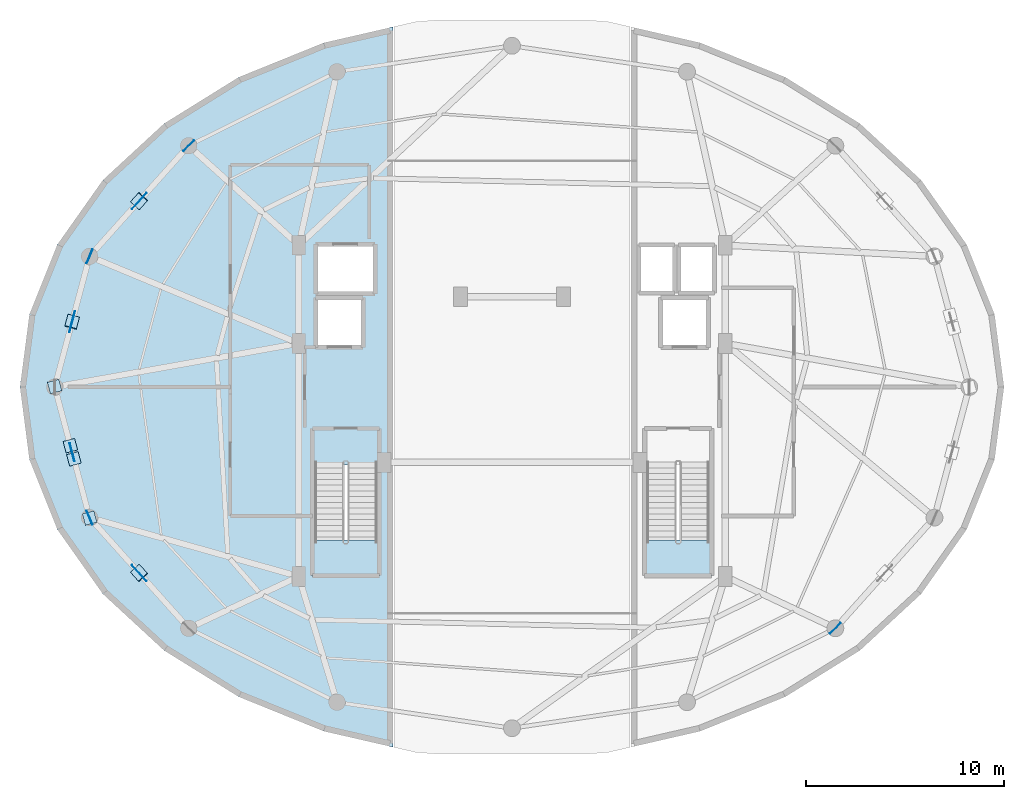
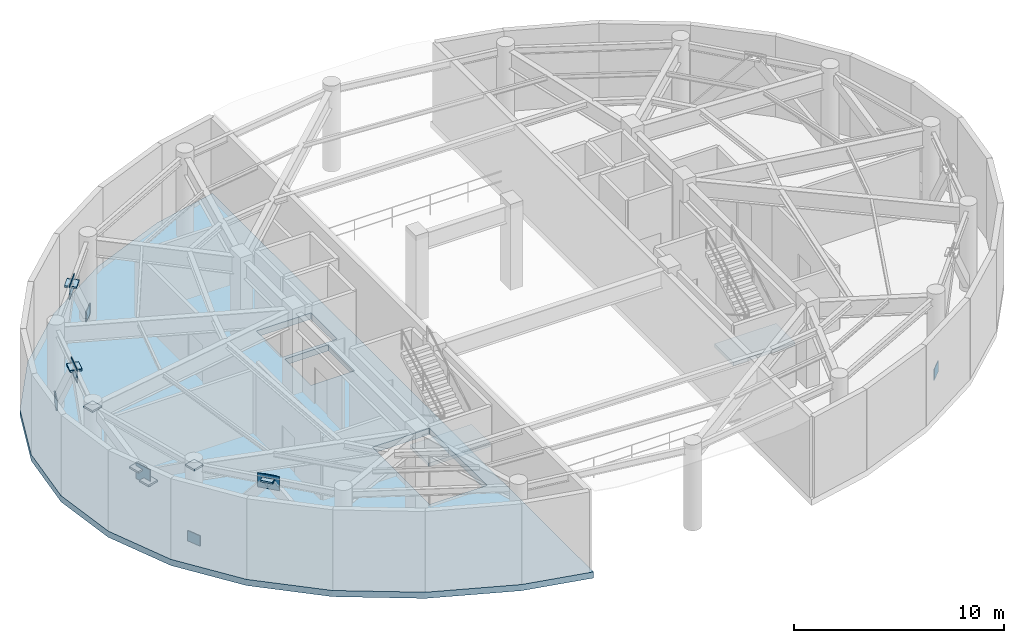
# One storey, part 3 of 7: 18 plates, 3 slabs, 2 elements without a shape of their own.
"""IFC4 building model written with IfcOpenShell, lengths in metres."""

from ifc_helpers import new_model, si_unit, direction, frame, origin, origin_2d, place, context, subcontext, project, spatial, polyline, rectangle, outline, extrude, material, layer, layer_set, type_object, element, aggregate, save


model = new_model("IFC4")

# Units and contexts
model_context = context("Model", 3, precision=1e-05, world=origin(), true_north=direction((0.0, 1.0)))
body_context = subcontext(model_context, "Body", "Model", "MODEL_VIEW")
ifc_project = project(units=[si_unit("LENGTHUNIT", "METRE"), si_unit("AREAUNIT", "SQUARE_METRE"), si_unit("VOLUMEUNIT", "CUBIC_METRE"), si_unit("PLANEANGLEUNIT", "RADIAN"), si_unit("MASSUNIT", "GRAM", prefix="KILO")], contexts=[model_context])

# Site, building, storey
site_placement = place(None, origin())
site = spatial("IfcSite", under=ifc_project, at=site_placement, CompositionType="ELEMENT")
building_placement = place(site_placement, origin())
building = spatial("IfcBuilding", under=site, at=building_placement, Name="Vorneva Point Tower", CompositionType="ELEMENT")
storey_placement = place(building_placement, frame((0.0, 0.0, 280.39990234375)))
storey = spatial("IfcBuildingStorey", under=building, at=storey_placement, Name="L76", CompositionType="ELEMENT", Elevation=280.39990234375)

# Plates
ifc_material_1 = material(Name="Steel S355", Category="steel")
ifc_layer_1 = layer(ifc_material_1, 0.02392578125)
ifc_layer_set_1 = layer_set([ifc_layer_1], Name="Steel S355")
plate_type_1 = type_object("IfcPlateType", Name="PLT-CAP-EXT", PredefinedType="USERDEFINED", material=ifc_layer_set_1)
for number, where, z_axis, x_axis, name in (
    (1, (19.18994140625, 35.35791015625, 4.51513671875), (0.0, 0.0, 1.0), (-0.667091755948, -0.744975562784, 0.0), "L76 Perimeter Belt-Truss Diagonal 07A end closure plate 2"),
    (2, (19.2158203125, 35.38671875, 4.51513671875), (0.0, 0.0, 1.0), (0.667091755948, 0.744975562784, 0.0), "L76 Perimeter Belt-Truss Diagonal 07B end closure plate 2"),
    (3, (15.822509765625, 29.2734375, 4.51611328125), (0.0, 0.0, 1.0), (-0.257571294219, -0.966259296666, 0.0), "L76 Perimeter Belt-Truss Diagonal 08A end closure plate 2"),
    (4, (15.83203125, 29.308837890625, 4.51611328125), (0.0, 0.0, 1.0), (0.257571294219, 0.966259296666, 0.0), "L76 Perimeter Belt-Truss Diagonal 08B end closure plate 2"),
    (5, (16.711181640625, 19.3935546875, 4.50830078125), (0.0, 0.0, 1.0), (0.257571294219, -0.966259296666, 0.0), "L76 Perimeter Belt-Truss Continuous X-Brace 09A end closure plate 2"),
    (6, (15.916015625, 22.37646484375, 2.05908203125), (0.0, 0.0, 1.0), (-0.257571294219, 0.966259296666, 0.0), "L76 Perimeter Belt-Truss Split X-Brace 09B1 end closure plate 2"),
    (7, (15.73876953125, 23.041259765625, 2.50537109375), (0.0, 0.0, 1.0), (-0.257571294219, 0.966259296666, 0.0), "L76 Perimeter Belt-Truss Split X-Brace 09B2 end closure plate 1"),
    (8, (14.943603515625, 26.0244140625, 4.50830078125), (0.0, 0.0, 1.0), (-0.257571294219, 0.966259296666, 0.0), "L76 Perimeter Belt-Truss Split X-Brace 09B2 end closure plate 2"),
    (9, (19.2158203125, 16.61328125, 4.51513671875), (0.0, 0.0, 1.0), (0.667091755948, -0.744975562784, 0.0), "L76 Perimeter Belt-Truss Diagonal 10A end closure plate 2"),
    (10, (19.18994140625, 16.64208984375, 4.51513671875), (0.0, 0.0, 1.0), (-0.667091755948, 0.744975562784, 0.0), "L76 Perimeter Belt-Truss Diagonal 10B end closure plate 2"),
):
    element("IfcPlate", number, at=place(storey_placement, frame(where, z_axis=z_axis, x_axis=x_axis)), inside=storey, type_object=plate_type_1, Name=name, ObjectType="BASE PLATE", PredefinedType="USERDEFINED", context=body_context, shape_type="SweptSolid", body=[
        extrude(rectangle(XDim=0.60009765625, YDim=0.60009765625, at=origin_2d()), origin(), (0.0, 0.0, 1.0), 0.095947265625),
    ])
ifc_material_2 = material(Name="Steel S460", Category="steel")
ifc_layer_2 = layer(ifc_material_2, 0.031982421875)
ifc_layer_set_2 = layer_set([ifc_layer_2], Name="Steel S460")
plate_type_2 = type_object("IfcPlateType", Name="PLT-GUS-32", PredefinedType="USERDEFINED", material=ifc_layer_set_2)
for number, where, z_axis, x_axis, name in (
    (11, (19.202880859375, 35.372314453125, 4.0), (0.0, 0.0, 1.0), (-0.667091755948, -0.744975562784, 0.0), "L76 Belt-Truss Apex Gusset Plate 07"),
    (12, (15.827392578125, 29.291015625, 4.0), (0.0, 0.0, 1.0), (-0.257571294219, -0.966259296666, 0.0), "L76 Belt-Truss Apex Gusset Plate 08"),
):
    element("IfcPlate", number, at=place(storey_placement, frame(where, z_axis=z_axis, x_axis=x_axis)), inside=storey, type_object=plate_type_2, Name=name, ObjectType="GUSSET PLATE", PredefinedType="USERDEFINED", context=body_context, shape_type="SweptSolid", body=[
        extrude(rectangle(XDim=1.10009765625, YDim=0.031982421875, at=origin_2d()), origin(), (0.0, 0.0, 1.0), 0.800048828125),
    ])
plate_1_placement = place(storey_placement, frame((15.827392578125, 22.708984375, 1.85498046875), z_axis=(0.0, 0.0, 1.0), x_axis=(0.257571294219, -0.966259296666, 0.0)))
element("IfcPlate", 13, at=plate_1_placement, inside=storey, type_object=plate_type_2, Name="L76 Belt-Truss X-Brace Central Node Gusset Plate 09", ObjectType="GUSSET PLATE", PredefinedType="USERDEFINED", context=body_context, shape_type="SweptSolid", body=[
    extrude(rectangle(XDim=0.949951171875, YDim=0.031982421875, at=origin_2d()), origin(), (0.0, 0.0, 1.0), 0.949951171875),
])
plate_2_placement = place(storey_placement, frame((19.202880859375, 16.627685546875, 4.0), z_axis=(0.0, 0.0, 1.0), x_axis=(0.667091755948, -0.744975562784, 0.0)))
element("IfcPlate", 14, at=plate_2_placement, inside=storey, type_object=plate_type_2, Name="L76 Belt-Truss Apex Gusset Plate 10", ObjectType="GUSSET PLATE", PredefinedType="USERDEFINED", context=body_context, shape_type="SweptSolid", body=[
    extrude(rectangle(XDim=1.10009765625, YDim=0.031982421875, at=origin_2d()), origin(), (0.0, 0.0, 1.0), 0.800048828125),
])
for number, where, z_axis, x_axis, name in (
    (15, (21.701171875, 38.162109375, -0.054931640625), (0.0, 0.0, 1.0), (-0.707106781187, -0.707106781187, 0.0), "L76 Belt-Truss Column Base Gusset Plate 07"),
    (16, (16.70458984375, 32.582275390625, -0.054931640625), (0.0, 0.0, 1.0), (-0.382683432365, -0.923879532511, 0.0), "L76 Belt-Truss Column Base Gusset Plate 08"),
    (17, (16.70458984375, 19.417724609375, -0.054931640625), (0.0, 0.0, 1.0), (0.382683432365, -0.923879532511, 0.0), "L76 Belt-Truss Column Base Gusset Plate 10"),
    (18, (54.298828125, 13.837890625, -0.054931640625), (0.0, 0.0, 1.0), (0.707106781187, 0.707106781187, 0.0), "L76 Belt-Truss Column Base Gusset Plate 15"),
):
    element("IfcPlate", number, at=place(storey_placement, frame(where, z_axis=z_axis, x_axis=x_axis)), inside=storey, type_object=plate_type_2, Name=name, ObjectType="GUSSET PLATE", PredefinedType="USERDEFINED", context=body_context, shape_type="SweptSolid", body=[
        extrude(rectangle(XDim=0.75, YDim=0.031982421875, at=origin_2d()), origin(), (0.0, 0.0, 1.0), 0.64990234375),
    ])

# Stair, slab
ifc_material_3 = material(Name="Concrete B50 (C40/50)", Category="concrete")
stair_type = type_object("IfcStairType", Name="ST-DOG-1500", PredefinedType="HALF_TURN_STAIR", material=ifc_material_3)
stair_1_placement = place(storey_placement, origin())
stair_1 = element("IfcStair", 19, at=stair_1_placement, inside=storey, type_object=stair_type, Name="L76 ST1", PredefinedType="HALF_TURN_STAIR")
ifc_layer_3 = layer(ifc_material_3, 0.199951171875)
ifc_layer_set_3 = layer_set([ifc_layer_3], Name="Concrete B50 (C40/50)")
slab_type_1 = type_object("IfcSlabType", Name="SLB-LND-200", PredefinedType="LANDING", material=ifc_layer_set_3)
slab_1_placement = place(storey_placement, frame((0.0, 0.0, 2.300048828125)))
slab_1 = element("IfcSlab", 20, at=slab_1_placement, type_object=slab_type_1, Name="ST1 landing 1", PredefinedType="LANDING", context=body_context, shape_type="SweptSolid", body=[
    extrude(outline(polyline([(27.929931640625, 16.47998046875), (31.320068359375, 16.47998046875), (31.320068359375, 18.280029296875), (27.929931640625, 18.280029296875), (27.929931640625, 16.47998046875)])), origin(), (0.0, 0.0, 1.0), 0.199951171875),
])
aggregate(stair_1, [slab_1])

stair_2_placement = place(storey_placement, origin())
stair_2 = element("IfcStair", 21, at=stair_2_placement, inside=storey, type_object=stair_type, Name="L76 ST2", PredefinedType="HALF_TURN_STAIR")
slab_2_placement = place(storey_placement, frame((0.0, 0.0, 2.300048828125)))
slab_2 = element("IfcSlab", 22, at=slab_2_placement, type_object=slab_type_1, Name="ST2 landing 1", PredefinedType="LANDING", context=body_context, shape_type="SweptSolid", body=[
    extrude(outline(polyline([(44.679931640625, 16.47998046875), (48.070068359375, 16.47998046875), (48.070068359375, 18.280029296875), (44.679931640625, 18.280029296875), (44.679931640625, 16.47998046875)])), origin(), (0.0, 0.0, 1.0), 0.199951171875),
])
aggregate(stair_2, [slab_2])

# Slab
ifc_layer_4 = layer(ifc_material_3, 0.360107421875)
ifc_layer_set_4 = layer_set([ifc_layer_4], Name="Concrete B50 (C40/50)")
slab_type_2 = type_object("IfcSlabType", Name="SLB-TRN-360", PredefinedType="FLOOR", material=ifc_layer_set_4)
slab_3_placement = place(storey_placement, frame((0.0, 0.0, -0.35986328125)))
element("IfcSlab", 23, at=slab_3_placement, inside=storey, type_object=slab_type_2, Name="Level 76 Wind Portal West Structural Slab", PredefinedType="FLOOR", context=body_context, shape_type="SweptSolid", body=[
    extrude(outline(polyline([(32.0, 7.847900390625), (32.0, 44.152099609375), (28.509521484375, 43.3505859375), (24.221923828125, 41.614990234375), (20.4638671875, 39.279541015625), (17.379638671875, 36.43359375), (15.087890625, 33.186767578125), (13.676513671875, 29.663818359375), (13.199951171875, 26.0), (13.676513671875, 22.336181640625), (15.087890625, 18.813232421875), (17.379638671875, 15.56640625), (20.4638671875, 12.720458984375), (24.221923828125, 10.385009765625), (28.509521484375, 8.6494140625), (32.0, 7.847900390625)]), holes=[polyline([(28.10009765625, 28.0), (30.5, 28.0), (30.5, 30.5), (28.10009765625, 30.5), (28.10009765625, 28.0)]), polyline([(28.10009765625, 30.699951171875), (31.10009765625, 30.699951171875), (31.10009765625, 33.199951171875), (28.10009765625, 33.199951171875), (28.10009765625, 30.699951171875)]), polyline([(28.050048828125, 16.60009765625), (31.199951171875, 16.60009765625), (31.199951171875, 22.080078125), (28.050048828125, 22.080078125), (28.050048828125, 16.60009765625)])]), origin(), (0.0, 0.0, 1.0), 0.35986328125),
])

save(model, "model.ifc")
